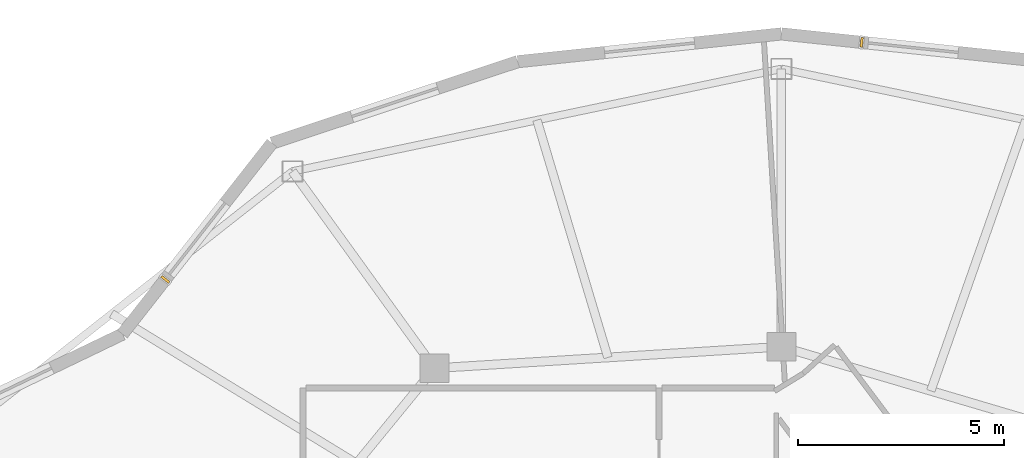
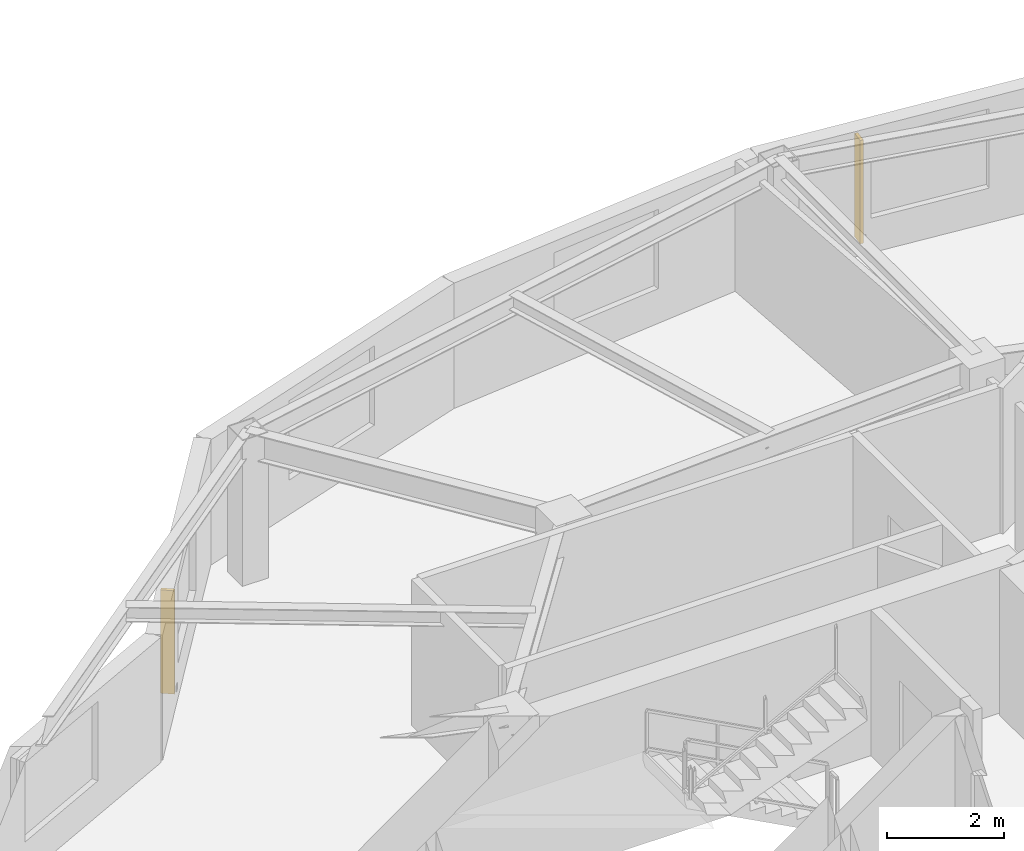
# One storey, part 13 of 14: 2 shading devices.
"""IFC4 building model written with IfcOpenShell, lengths in metres."""

from ifc_helpers import new_model, si_unit, direction, frame, origin, origin_2d, place, context, subcontext, project, spatial, rectangle, extrude, material, type_object, element, save


model = new_model("IFC4")

# Units and contexts
model_context = context("Model", 3, precision=1e-05, world=origin(), true_north=direction((0.0, 1.0)))
body_context = subcontext(model_context, "Body", "Model", "MODEL_VIEW")
ifc_project = project(units=[si_unit("LENGTHUNIT", "METRE"), si_unit("AREAUNIT", "SQUARE_METRE"), si_unit("VOLUMEUNIT", "CUBIC_METRE"), si_unit("PLANEANGLEUNIT", "RADIAN"), si_unit("MASSUNIT", "GRAM", prefix="KILO")], contexts=[model_context])

# Site, building, storey
site_placement = place(None, origin())
site = spatial("IfcSite", under=ifc_project, at=site_placement, CompositionType="ELEMENT")
building_placement = place(site_placement, origin())
building = spatial("IfcBuilding", under=site, at=building_placement, Name="Kolvaren Gate Tower and Convention Centre", CompositionType="ELEMENT")
storey_placement = place(building_placement, frame((0.0, 0.0, 209.60009765625)))
storey = spatial("IfcBuildingStorey", under=building, at=storey_placement, Name="L55", CompositionType="ELEMENT", Elevation=209.60009765625)

# Shading devices
ifc_material = material(Name="Kiln-Fired Bogota Terracotta Ceramic Louvre Profile", Category="masonry")
shading_device_type = type_object("IfcShadingDeviceType", Name="ARCH-SHD-FIN-180", PredefinedType="JALOUSIE", material=ifc_material)
for number, where, z_axis, x_axis, name in (
    (1, (32.0751953125, 46.594482421875, 0.219970703125), (0.0, 0.0, 1.0), (0.994498884311, -0.104747167526, 0.0), "Ceramic Vertical Brise-Soleil Fin FN-L55-05"),
    (2, (15.15673828125, 40.8349609375, 0.219970703125), (0.0, 0.0, 1.0), (0.616434119112, 0.787406487651, 0.0), "Ceramic Vertical Brise-Soleil Fin FN-L55-08"),
):
    element("IfcShadingDevice", number, at=place(storey_placement, frame(where, z_axis=z_axis, x_axis=x_axis)), inside=storey, type_object=shading_device_type, Name=name, PredefinedType="JALOUSIE", context=body_context, shape_type="SweptSolid", body=[
        extrude(rectangle(XDim=0.06005859375, YDim=0.239990234375, at=origin_2d()), origin(), (0.0, 0.0, 1.0), 2.14990234375),
    ])

save(model, "model.ifc")
